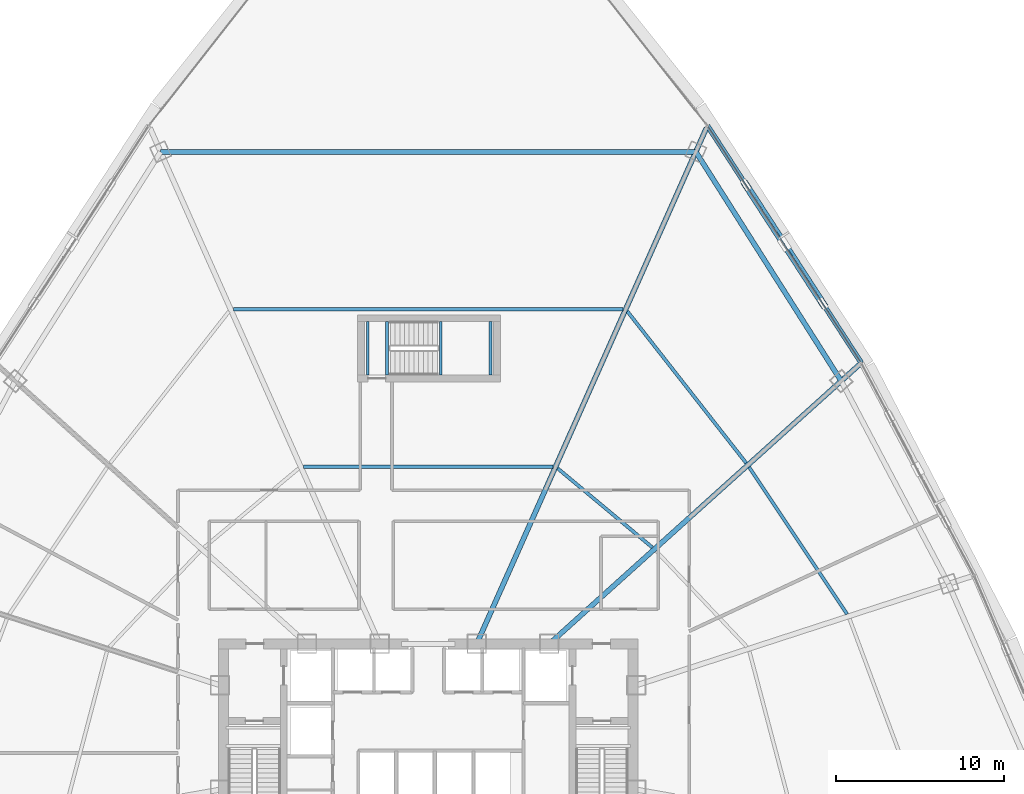
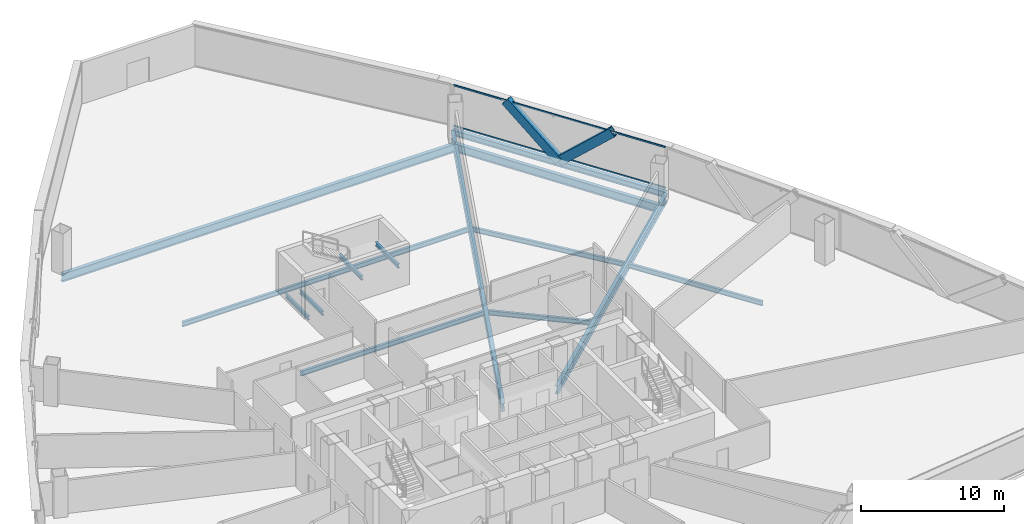
# One storey, part 17 of 36: 14 beams, 4 members, 1 element without a shape of its own.
"""IFC4 building model written with IfcOpenShell, lengths in metres."""

from ifc_helpers import new_model, si_unit, direction, frame, origin, origin_2d, place, context, subcontext, project, spatial, hollow_rectangle, i_section, extrude, source, transform, mapped, material, layer, layer_set, material_profile, profile_set, type_object, element, aggregate, save


model = new_model("IFC4")

# Units and contexts
model_context = context("Model", 3, precision=1e-05, world=origin(), true_north=direction((0.0, 1.0)))
body_context = subcontext(model_context, "Body", "Model", "MODEL_VIEW")
ifc_project = project(units=[si_unit("LENGTHUNIT", "METRE"), si_unit("AREAUNIT", "SQUARE_METRE"), si_unit("VOLUMEUNIT", "CUBIC_METRE"), si_unit("PLANEANGLEUNIT", "RADIAN"), si_unit("MASSUNIT", "GRAM", prefix="KILO"), si_unit("THERMODYNAMICTEMPERATUREUNIT", "KELVIN"), si_unit("POWERUNIT", "WATT")], contexts=[model_context])

# Site, building, storey
site_placement = place(None, origin())
site = spatial("IfcSite", under=ifc_project, at=site_placement, CompositionType="ELEMENT")
building_placement = place(site_placement, origin())
building = spatial("IfcBuilding", under=site, at=building_placement, Name="Yunzhuo Pagoda Commons", CompositionType="ELEMENT")
storey_placement = place(building_placement, frame((0.0, 0.0, 103.97998046875)))
storey = spatial("IfcBuildingStorey", under=building, at=storey_placement, Name="L26", CompositionType="ELEMENT", Elevation=103.97998046875)

# Beams
ifc_material_1 = material(Name="Structural steel Q355B", Category="steel")
ifc_material_profile_1 = material_profile(ifc_material_1, i_section(OverallWidth=0.175048828125, OverallDepth=0.35009765625, WebThickness=0.007080078125, FlangeThickness=0.010986328125, at=origin_2d()), Name="Structural steel Q355B")
ifc_profile_set_1 = profile_set([ifc_material_profile_1], Name="Structural steel Q355B")
beam_type_1 = type_object("IfcBeamType", Name="B-JS2 Joist HN 350x175x7x11", PredefinedType="JOIST", material=ifc_profile_set_1)
shared_shape_1 = source(origin(), body_context, "Body", "SweptSolid", [
    extrude(i_section(OverallWidth=0.175048828125, OverallDepth=0.35009765625, WebThickness=0.007080078125, FlangeThickness=0.010986328125, at=origin_2d()), origin(), (0.0, 0.0, 1.0), 3.199951171875),
])
for number, where, z_axis, x_axis, name in (
    (1, (48.75, 56.199951171875, 1.52490234375), (0.0, 1.0, 0.0), (-1.0, 0.0, 0.0), "L26 ST3 landing support beam 32A"),
    (2, (51.699951171875, 56.199951171875, 1.52490234375), (0.0, 1.0, 0.0), (-1.0, 0.0, 0.0), "L26 ST3 landing support beam 32B"),
    (3, (44.39990234375, 56.199951171875, -0.374755859375), (0.0, 1.0, 0.0), (-1.0, 0.0, 0.0), "L26 ST3 landing support beam 100A"),
    (4, (45.550048828125, 56.199951171875, -0.374755859375), (0.0, 1.0, 0.0), (-1.0, 0.0, 0.0), "L26 ST3 landing support beam 100B"),
):
    element("IfcBeam", number, at=place(storey_placement, frame(where, z_axis=z_axis, x_axis=x_axis)), inside=storey, type_object=beam_type_1, Name=name, PredefinedType="JOIST", context=body_context, shape_type="MappedRepresentation", body=[
        mapped(shared_shape_1, transform((0.0, 0.0, 0.0), scale=1.0)),
    ])
ifc_material_profile_2 = material_profile(ifc_material_1, i_section(OverallWidth=0.300048828125, OverallDepth=0.699951171875, WebThickness=0.012939453125, FlangeThickness=0.02392578125, at=origin_2d()), Name="Structural steel Q355B")
ifc_profile_set_2 = profile_set([ifc_material_profile_2], Name="Structural steel Q355B")
beam_type_2 = type_object("IfcBeamType", Name="B-RG1 Beam HN 700x300x13x24", PredefinedType="BEAM", material=ifc_profile_set_2)
shared_shape_2 = source(origin(), body_context, "Body", "SweptSolid", [
    extrude(i_section(OverallWidth=0.300048828125, OverallDepth=0.699951171875, WebThickness=0.012939453125, FlangeThickness=0.02392578125, at=origin_2d()), origin(), (0.0, 0.0, 1.0), 16.16845703125),
])
beam_1_placement = place(storey_placement, frame((72.602783203125, 55.852294921875, -0.60986328125), z_axis=(-0.535695673154, 0.844411123662, 0.0), x_axis=(-0.844411123662, -0.535695673154, 0.0)))
element("IfcBeam", 5, at=beam_1_placement, inside=storey, type_object=beam_type_2, Name="L26 column-ring beam 7", PredefinedType="BEAM", context=body_context, shape_type="MappedRepresentation", body=[
    mapped(shared_shape_2, transform((0.0, 0.0, 0.0), scale=1.0)),
])
shared_shape_3 = source(origin(), body_context, "Body", "SweptSolid", [
    extrude(i_section(OverallWidth=0.300048828125, OverallDepth=0.699951171875, WebThickness=0.012939453125, FlangeThickness=0.02392578125, at=origin_2d()), origin(), (0.0, 0.0, 1.0), 31.8828125),
])
beam_2_placement = place(storey_placement, frame((63.94140625, 69.505126953125, -0.60986328125), z_axis=(-1.0, 0.0, 0.0), x_axis=(0.0, -1.0, 0.0)))
element("IfcBeam", 6, at=beam_2_placement, inside=storey, type_object=beam_type_2, Name="L26 column-ring beam 8", PredefinedType="BEAM", context=body_context, shape_type="MappedRepresentation", body=[
    mapped(shared_shape_3, transform((0.0, 0.0, 0.0), scale=1.0)),
])
ifc_material_profile_3 = material_profile(ifc_material_1, i_section(OverallWidth=0.199951171875, OverallDepth=0.39990234375, WebThickness=0.008056640625, FlangeThickness=0.012939453125, at=origin_2d()), Name="Structural steel Q355B")
ifc_profile_set_3 = profile_set([ifc_material_profile_3], Name="Structural steel Q355B")
beam_type_3 = type_object("IfcBeamType", Name="B-JS1 Joist HN 400x200x8x13", PredefinedType="JOIST", material=ifc_profile_set_3)
shared_shape_4 = source(origin(), body_context, "Body", "SweptSolid", [
    extrude(i_section(OverallWidth=0.199951171875, OverallDepth=0.39990234375, WebThickness=0.008056640625, FlangeThickness=0.012939453125, at=origin_2d()), origin(), (0.0, 0.0, 1.0), 10.50537109375),
])
beam_3_placement = place(storey_placement, frame((72.95361328125, 41.968994140625, -0.459716796875), z_axis=(-0.554523204193, 0.832168261839, 0.0), x_axis=(-0.832168261839, -0.554523204193, 0.0)))
element("IfcBeam", 7, at=beam_3_placement, inside=storey, type_object=beam_type_3, Name="L26 composite ring joist 2.6", PredefinedType="JOIST", context=body_context, shape_type="MappedRepresentation", body=[
    mapped(shared_shape_4, transform((0.0, 0.0, 0.0), scale=1.0)),
])
shared_shape_5 = source(origin(), body_context, "Body", "SweptSolid", [
    extrude(i_section(OverallWidth=0.199951171875, OverallDepth=0.39990234375, WebThickness=0.008056640625, FlangeThickness=0.012939453125, at=origin_2d()), origin(), (0.0, 0.0, 1.0), 7.350341796875),
])
beam_4_placement = place(storey_placement, frame((61.355224609375, 45.936767578125, -0.459716796875), z_axis=(-0.767589283892, 0.640942034239, 0.0), x_axis=(-0.640942034239, -0.767589283892, 0.0)))
element("IfcBeam", 8, at=beam_4_placement, inside=storey, type_object=beam_type_3, Name="L26 composite ring joist 1.7", PredefinedType="JOIST", context=body_context, shape_type="MappedRepresentation", body=[
    mapped(shared_shape_5, transform((0.0, 0.0, 0.0), scale=1.0)),
])
shared_shape_6 = source(origin(), body_context, "Body", "SweptSolid", [
    extrude(i_section(OverallWidth=0.199951171875, OverallDepth=0.39990234375, WebThickness=0.008056640625, FlangeThickness=0.012939453125, at=origin_2d()), origin(), (0.0, 0.0, 1.0), 11.475830078125),
])
beam_5_placement = place(storey_placement, frame((66.942138671875, 50.96875, -0.459716796875), z_axis=(-0.616739539478, 0.787167288728, 0.0), x_axis=(-0.787167288728, -0.616739539478, 0.0)))
element("IfcBeam", 9, at=beam_5_placement, inside=storey, type_object=beam_type_3, Name="L26 composite ring joist 2.7", PredefinedType="JOIST", context=body_context, shape_type="MappedRepresentation", body=[
    mapped(shared_shape_6, transform((0.0, 0.0, 0.0), scale=1.0)),
])
shared_shape_7 = source(origin(), body_context, "Body", "SweptSolid", [
    extrude(i_section(OverallWidth=0.199951171875, OverallDepth=0.39990234375, WebThickness=0.008056640625, FlangeThickness=0.012939453125, at=origin_2d()), origin(), (0.0, 0.0, 1.0), 14.8642578125),
])
beam_6_placement = place(storey_placement, frame((55.43212890625, 50.749755859375, -0.459716796875), z_axis=(-1.0, 0.0, 0.0), x_axis=(0.0, -1.0, 0.0)))
element("IfcBeam", 10, at=beam_6_placement, inside=storey, type_object=beam_type_3, Name="L26 composite ring joist 1.8", PredefinedType="JOIST", context=body_context, shape_type="MappedRepresentation", body=[
    mapped(shared_shape_7, transform((0.0, 0.0, 0.0), scale=1.0)),
])
shared_shape_8 = source(origin(), body_context, "Body", "SweptSolid", [
    extrude(i_section(OverallWidth=0.199951171875, OverallDepth=0.39990234375, WebThickness=0.008056640625, FlangeThickness=0.012939453125, at=origin_2d()), origin(), (0.0, 0.0, 1.0), 23.21484375),
])
beam_7_placement = place(storey_placement, frame((59.607421875, 60.12744140625, -0.459716796875), z_axis=(-1.0, 0.0, 0.0), x_axis=(0.0, -1.0, 0.0)))
element("IfcBeam", 11, at=beam_7_placement, inside=storey, type_object=beam_type_3, Name="L26 composite ring joist 2.8", PredefinedType="JOIST", context=body_context, shape_type="MappedRepresentation", body=[
    mapped(shared_shape_8, transform((0.0, 0.0, 0.0), scale=1.0)),
])
shared_shape_9 = source(origin(), body_context, "Body", "SweptSolid", [
    extrude(i_section(OverallWidth=0.300048828125, OverallDepth=0.699951171875, WebThickness=0.012939453125, FlangeThickness=0.02392578125, at=origin_2d()), origin(), (0.0, 0.0, 1.0), 24.849853515625),
])
beam_8_placement = place(storey_placement, frame((73.68603515625, 56.827880859375, -0.60986328125), z_axis=(-0.743142198671, -0.669133523712, 0.0), x_axis=(0.669133523712, -0.743142198671, 0.0)))
element("IfcBeam", 12, at=beam_8_placement, inside=storey, type_object=beam_type_2, Name="L26 radial floor girder F2C3", PredefinedType="BEAM", context=body_context, shape_type="MappedRepresentation", body=[
    mapped(shared_shape_9, transform((0.0, 0.0, 0.0), scale=1.0)),
])
shared_shape_10 = source(origin(), body_context, "Body", "SweptSolid", [
    extrude(i_section(OverallWidth=0.300048828125, OverallDepth=0.699951171875, WebThickness=0.012939453125, FlangeThickness=0.02392578125, at=origin_2d()), origin(), (0.0, 0.0, 1.0), 33.631591796875),
])
beam_9_placement = place(storey_placement, frame((64.5732421875, 70.924072265625, -0.60986328125), z_axis=(-0.406735133761, -0.913546129631, 0.0), x_axis=(0.913546129631, -0.406735133761, 0.0)))
element("IfcBeam", 13, at=beam_9_placement, inside=storey, type_object=beam_type_2, Name="L26 radial floor girder F2C4", PredefinedType="BEAM", context=body_context, shape_type="MappedRepresentation", body=[
    mapped(shared_shape_10, transform((0.0, 0.0, 0.0), scale=1.0)),
])
ifc_material_profile_4 = material_profile(ifc_material_1, i_section(OverallWidth=0.300048828125, OverallDepth=0.488037109375, WebThickness=0.010986328125, FlangeThickness=0.01806640625, at=origin_2d()), Name="Structural steel Q355B")
ifc_profile_set_4 = profile_set([ifc_material_profile_4], Name="Structural steel Q355B")
beam_type_4 = type_object("IfcBeamType", Name="B-SP1 Beam HM 488x300x11x18", PredefinedType="BEAM", material=ifc_profile_set_4)
shared_shape_11 = source(origin(), body_context, "Body", "SweptSolid", [
    extrude(i_section(OverallWidth=0.300048828125, OverallDepth=0.488037109375, WebThickness=0.010986328125, FlangeThickness=0.01806640625, at=origin_2d()), origin(), (0.0, 0.0, 1.0), 16.845458984375),
])
beam_10_placement = place(storey_placement, frame((73.801513671875, 56.931640625, -0.50390625), z_axis=(-0.544066481819, 0.839042110601, 0.0), x_axis=(-0.839042110601, -0.544066481819, 0.0)))
element("IfcBeam", 14, at=beam_10_placement, inside=storey, type_object=beam_type_4, Name="L26 facade edge spandrel beam F2.3", PredefinedType="BEAM", context=body_context, shape_type="MappedRepresentation", body=[
    mapped(shared_shape_11, transform((0.0, 0.0, 0.0), scale=1.0)),
])

# Members
ifc_material_2 = material(Name="Structural steel Q420B", Category="steel")
ifc_material_profile_5 = material_profile(ifc_material_2, hollow_rectangle(XDim=0.419921875, YDim=0.719970703125, WallThickness=0.028076171875, at=origin_2d()), Name="Structural steel Q420B")
ifc_profile_set_5 = profile_set([ifc_material_profile_5], Name="Structural steel Q420B")
member_type_1 = type_object("IfcMemberType", Name="M-DL1 Brace BOX 720x420x28", PredefinedType="BRACE", material=ifc_profile_set_5)
shared_shape_12 = source(origin(), body_context, "Body", "SweptSolid", [
    extrude(hollow_rectangle(XDim=0.419921875, YDim=0.719970703125, WallThickness=0.028076171875, at=origin_2d()), origin(), (0.0, 0.0, 1.0), 5.672607421875),
])
for number, where, z_axis, x_axis, name in (
    (15, (69.21875, 63.99853515625, -0.260009765625), (0.403923581373, -0.622907404711, 0.669949330597), (0.839037820479, 0.544073097851, 0.0), "L26 facade diamond brace F2.3L"),
    (16, (69.21875, 63.99853515625, -0.260009765625), (-0.403923581373, 0.622907404711, 0.669949330597), (-0.839037820479, -0.544073097851, 0.0), "L26 facade diamond brace F2.3R"),
):
    element("IfcMember", number, at=place(storey_placement, frame(where, z_axis=z_axis, x_axis=x_axis)), inside=storey, type_object=member_type_1, Name=name, PredefinedType="BRACE", context=body_context, shape_type="MappedRepresentation", body=[
        mapped(shared_shape_12, transform((0.0, 0.0, 0.0), scale=1.0)),
    ])

# Curtain wall, members
ifc_material_3 = material(Name="Anodized aluminium 6063-T6", Category="aluminium")
ifc_layer = layer(ifc_material_3, 0.1650390625)
ifc_layer_set = layer_set([ifc_layer], Name="Anodized aluminium 6063-T6")
curtain_wall_type = type_object("IfcCurtainWallType", Name="CW-LOW Low-Zone Ribbon Curtain Wall", PredefinedType="NOTDEFINED", material=ifc_layer_set)
curtain_wall_placement = place(storey_placement, origin())
curtain_wall = element("IfcCurtainWall", 17, at=curtain_wall_placement, inside=storey, type_object=curtain_wall_type, Name="L26 curtain wall CW-L26-F2B4", PredefinedType="NOTDEFINED")
ifc_material_profile_6 = material_profile(ifc_material_3, hollow_rectangle(XDim=0.06005859375, YDim=0.139892578125, WallThickness=0.00341796875, at=origin_2d()), Name="Anodized aluminium 6063-T6")
ifc_profile_set_6 = profile_set([ifc_material_profile_6], Name="Anodized aluminium 6063-T6")
member_type_2 = type_object("IfcMemberType", Name="CW-LOW-T Transom RHS 140x60x3.5", PredefinedType="USERDEFINED", material=ifc_profile_set_6)
shared_shape_13 = source(origin(), body_context, "Body", "SweptSolid", [
    extrude(hollow_rectangle(XDim=0.06005859375, YDim=0.139892578125, WallThickness=0.00341796875, at=origin_2d()), origin(), (0.0, 0.0, 1.0), 16.71533203125),
])
member_1_placement = place(storey_placement, frame((73.765869140625, 56.986083984375, 0.030029296875), z_axis=(-0.544064956153, 0.839043099898, 0.0), x_axis=(-0.839043099898, -0.544064956153, 0.0)))
member_1 = element("IfcMember", 18, at=member_1_placement, type_object=member_type_2, Name="CW transom 1.1", ObjectType="TRANSOM", PredefinedType="USERDEFINED", context=body_context, shape_type="MappedRepresentation", body=[
    mapped(shared_shape_13, transform((0.0, 0.0, 0.0), scale=1.0)),
])
member_2_placement = place(storey_placement, frame((73.765869140625, 56.986083984375, 3.510009765625), z_axis=(-0.544064956153, 0.839043099898, 0.0), x_axis=(-0.839043099898, -0.544064956153, 0.0)))
member_2 = element("IfcMember", 19, at=member_2_placement, type_object=member_type_2, Name="CW transom 1.2", ObjectType="TRANSOM", PredefinedType="USERDEFINED", context=body_context, shape_type="MappedRepresentation", body=[
    mapped(shared_shape_13, transform((0.0, 0.0, 0.0), scale=1.0)),
])
aggregate(curtain_wall, [member_1, member_2])

save(model, "model.ifc")
